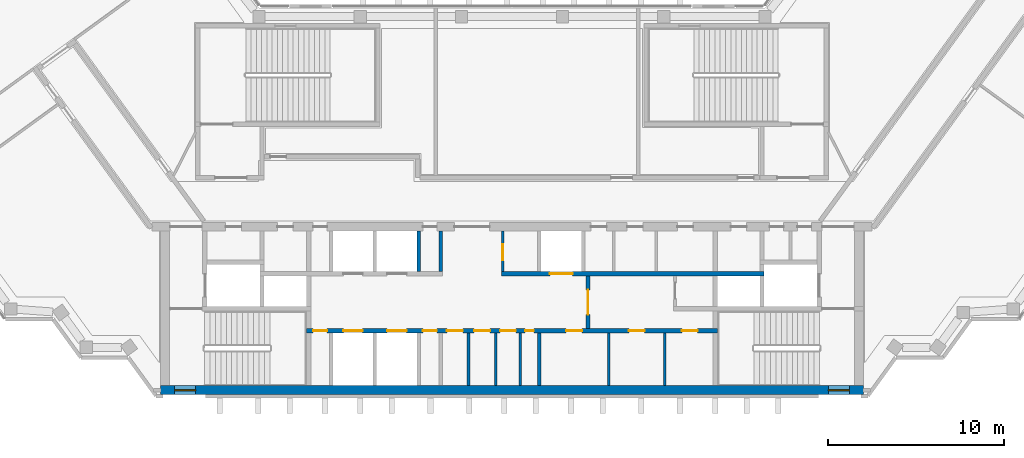
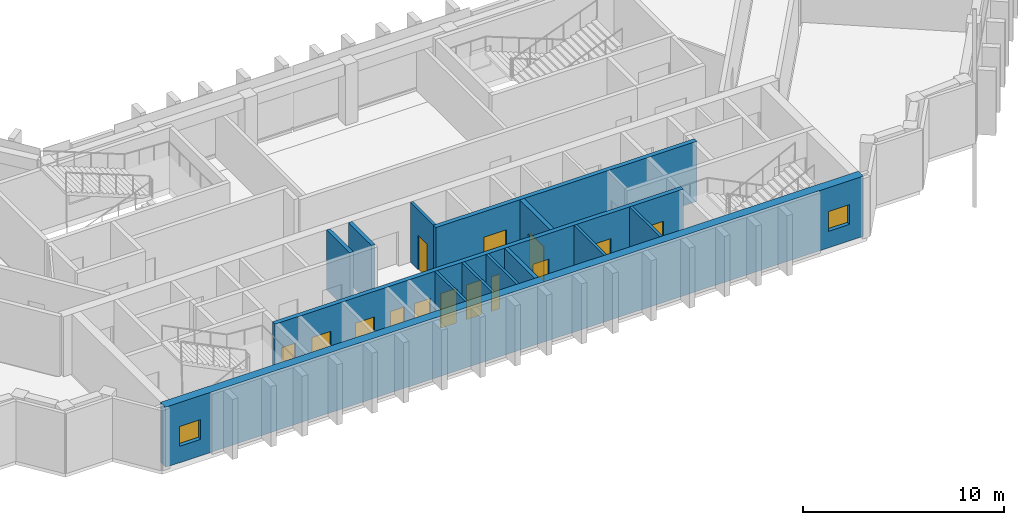
# One storey, part 5 of 10: 14 doors, 13 walls, 2 windows, 16 openings.
"""IFC4 building model written with IfcOpenShell, lengths in metres."""

import ifcopenshell
import ifcopenshell.guid

model = None  # the IFC model being written
_history = None  # IfcOwnerHistory: only IFC2X3 demands one
_inside = {}  # id of a spatial element -> (the spatial element, [elements in it])
_under = {}  # id of a project, library or spatial element -> (it, [spatial elements below it])
_declared = {}  # id of a project -> (the project, [libraries it declares])
_typed = {}  # id of a type object -> (the type object, [elements of that type])
_made_of = {}  # id of a material, layer set ... -> (it, [elements and type objects made of it])


def new_model(schema):
    """Start an empty IFC model of exactly this schema.

    Asked for "IFC4X3", IfcOpenShell would pick the latest addendum, in which some entities
    have other attributes; the version numbers below select the first issue.
    IFC2X3 requires an IfcOwnerHistory on every rooted entity: one is made here for all.
    """
    global model, _history
    if schema == "IFC4X3":
        model = ifcopenshell.file(schema_version=(4, 3, 0, 0))
    else:
        model = ifcopenshell.file(schema=schema)
    _inside.clear()
    _under.clear()
    _declared.clear()
    _typed.clear()
    _made_of.clear()
    _history = None
    if model.schema == "IFC2X3":
        org = make("IfcOrganization", Name="unknown")
        user = make(
            "IfcPersonAndOrganization",
            ThePerson=make("IfcPerson", FamilyName="unknown"),
            TheOrganization=org,
        )
        app = make(
            "IfcApplication",
            ApplicationDeveloper=org,
            Version="unknown",
            ApplicationFullName="unknown",
            ApplicationIdentifier="unknown",
        )
        _history = make(
            "IfcOwnerHistory",
            OwningUser=user,
            OwningApplication=app,
            ChangeAction="ADDED",
            CreationDate=0,
        )
    return model


def make(cls, **values):
    """One entity of the class cls with the attributes given. An attribute that is None is left unset."""
    return model.create_entity(
        cls, **{name: value for name, value in values.items() if value is not None}
    )


def rooted(cls, **values):
    """An entity with a GlobalId (a new one), such as an element, a storey or a relation."""
    return make(cls, GlobalId=ifcopenshell.guid.new(), OwnerHistory=_history, **values)


def si_unit(unit_type, name, prefix=None):
    """IfcSIUnit, for example si_unit("LENGTHUNIT", "METRE", prefix="MILLI")."""
    return make("IfcSIUnit", UnitType=unit_type, Prefix=prefix, Name=name)


def assignment(units):
    """IfcUnitAssignment: the units of a project."""
    return None if units is None else make("IfcUnitAssignment", Units=units)


def point(xyz):
    """IfcCartesianPoint."""
    return None if xyz is None else make("IfcCartesianPoint", Coordinates=xyz)


def direction(xyz):
    """IfcDirection."""
    return None if xyz is None else make("IfcDirection", DirectionRatios=xyz)


def frame(location, z_axis=None, x_axis=None):
    """IfcAxis2Placement3D, a coordinate frame: its origin and axes. An axis left out is left unset."""
    return make(
        "IfcAxis2Placement3D",
        Location=point(location),
        Axis=direction(z_axis),
        RefDirection=direction(x_axis),
    )


def frame_2d(location, x_axis=None):
    """IfcAxis2Placement2D, a coordinate frame in the plane: its origin and x axis."""
    return make(
        "IfcAxis2Placement2D", Location=point(location), RefDirection=direction(x_axis)
    )


def origin():
    """The frame at (0, 0, 0) with its axes left unset."""
    return frame((0.0, 0.0, 0.0))


def place(relative_to, where):
    """IfcLocalPlacement: puts the frame where relative to a parent placement (None: the world)."""
    return make(
        "IfcLocalPlacement", PlacementRelTo=relative_to, RelativePlacement=where
    )


def context(
    kind, dimensions, precision=None, world=None, true_north=None, identifier=None
):
    """IfcGeometricRepresentationContext, for example the 3D "Model" context."""
    return make(
        "IfcGeometricRepresentationContext",
        ContextIdentifier=identifier,
        ContextType=kind,
        CoordinateSpaceDimension=dimensions,
        Precision=precision,
        WorldCoordinateSystem=world,
        TrueNorth=true_north,
    )


def subcontext(parent, identifier, kind, view, scale=None):
    """IfcGeometricRepresentationSubContext, for example "Body" below "Model"."""
    return make(
        "IfcGeometricRepresentationSubContext",
        ContextIdentifier=identifier,
        ContextType=kind,
        ParentContext=parent,
        TargetScale=scale,
        TargetView=view,
    )


def project(units=None, contexts=None):
    """IfcProject with its units and contexts."""
    return rooted(
        "IfcProject",
        Name="project",
        RepresentationContexts=contexts,
        UnitsInContext=assignment(units),
    )


def spatial(cls, under=None, at=None, **own):
    """A site, building, storey or space (cls), placed at a placement, below another one or the project."""
    s = rooted(cls, ObjectPlacement=at, **own)
    if under is not None:
        _under.setdefault(under.id(), (under, []))[1].append(s)
    return s


def profile(cls, at=None, kind="AREA", **sizes):
    """A parametric profile (cls). Its sizes go by their IFC names, for example OverallWidth=200.0."""
    return make(cls, ProfileType=kind, Position=at, **sizes)


def rectangle(**sizes):
    """IfcRectangleProfileDef."""
    return profile("IfcRectangleProfileDef", **sizes)


def extrude(swept, where, along, depth):
    """IfcExtrudedAreaSolid: the profile swept, set in the frame where, extruded along a direction by depth."""
    return make(
        "IfcExtrudedAreaSolid",
        SweptArea=swept,
        Position=where,
        ExtrudedDirection=direction(along),
        Depth=depth,
    )


def shape(context_of_items, identifier, shape_type, items):
    """IfcShapeRepresentation: the items that make up one representation, for example the "Body"."""
    return make(
        "IfcShapeRepresentation",
        ContextOfItems=context_of_items,
        RepresentationIdentifier=identifier,
        RepresentationType=shape_type,
        Items=items,
    )


def material(Name=None, Category=None):
    """IfcMaterial."""
    return make("IfcMaterial", Name=Name, Category=Category)


def layer(
    of_material, thickness, ventilated=None, Name=None, Category=None, Priority=None
):
    """IfcMaterialLayer: one layer of a wall or slab, of a material (None: an air gap)."""
    return make(
        "IfcMaterialLayer",
        Material=of_material,
        LayerThickness=thickness,
        IsVentilated=ventilated,
        Name=Name,
        Category=Category,
        Priority=Priority,
    )


def layer_set(layers, Name=None):
    """IfcMaterialLayerSet."""
    return make("IfcMaterialLayerSet", MaterialLayers=layers, LayerSetName=Name)


def made_of(thing, what):
    """Note that an element or type object is made of a material, layer set ...; save() writes the relation."""
    if what is not None:
        _made_of.setdefault(what.id(), (what, []))[1].append(thing)
    return thing


def type_object(cls, material=None, **own):
    """A type object (cls), such as IfcWallType, which elements share."""
    return made_of(rooted(cls, **own), material)


def element(
    cls,
    number,
    at=None,
    inside=None,
    cuts=None,
    type_object=None,
    material=None,
    context=None,
    identifier="Body",
    shape_type=None,
    held_by="IfcProductDefinitionShape",
    body=None,
    shapes=None,
    **own,
):
    """One element of the class cls, such as IfcWall. Its Tag is "e" and its number.

    at: its placement. inside: the storey or other place that contains it. cuts: it is an
    opening in that element (IfcRelVoidsElement). A single representation is given by context,
    identifier, shape_type and body (its items); several are given by shapes. held_by: the class
    of the entity that holds the representations. save() writes the other relations.
    """
    e = rooted(cls, Tag="e%d" % number, ObjectPlacement=at, **own)
    if body is not None:
        shapes = [shape(context, identifier, shape_type, body)]
    if shapes is not None:
        e.Representation = make(held_by, Representations=shapes)
    if inside is not None:
        _inside.setdefault(inside.id(), (inside, []))[1].append(e)
    if cuts is not None:
        rooted(
            "IfcRelVoidsElement", RelatingBuildingElement=cuts, RelatedOpeningElement=e
        )
    if type_object is not None:
        _typed.setdefault(type_object.id(), (type_object, []))[1].append(e)
    return made_of(e, material)


def fill(opening, filler):
    """IfcRelFillsElement: the door or window that sits in an opening."""
    return rooted(
        "IfcRelFillsElement",
        RelatingOpeningElement=opening,
        RelatedBuildingElement=filler,
    )


def aggregate(whole, parts):
    """IfcRelAggregates: a whole, such as a stair, and the parts it consists of."""
    return rooted("IfcRelAggregates", RelatingObject=whole, RelatedObjects=parts)


def save(model, path):
    """Write the relations noted so far, then the file.

    IfcRelAggregates (storeys below a building ...), IfcRelContainedInSpatialStructure (elements
    in a storey), IfcRelDefinesByType, IfcRelAssociatesMaterial and IfcRelDeclares: one each for
    every whole, place, type object, material and project.
    """
    for whole, parts in _under.values():
        aggregate(whole, parts)
    for where, things in _inside.values():
        rooted(
            "IfcRelContainedInSpatialStructure",
            RelatedElements=things,
            RelatingStructure=where,
        )
    for kind, things in _typed.values():
        rooted("IfcRelDefinesByType", RelatedObjects=things, RelatingType=kind)
    for what, things in _made_of.values():
        rooted("IfcRelAssociatesMaterial", RelatedObjects=things, RelatingMaterial=what)
    for by, libraries in _declared.values():
        rooted("IfcRelDeclares", RelatingContext=by, RelatedDefinitions=libraries)
    model.write(path)


model = new_model("IFC4")

# Units and contexts
model_context = context("Model", 3, precision=1e-05, world=origin(), true_north=direction((0.0, 1.0)))
body_context = subcontext(model_context, "Body", "Model", "MODEL_VIEW")
ifc_project = project(units=[si_unit("LENGTHUNIT", "METRE"), si_unit("AREAUNIT", "SQUARE_METRE"), si_unit("VOLUMEUNIT", "CUBIC_METRE"), si_unit("PLANEANGLEUNIT", "RADIAN"), si_unit("MASSUNIT", "GRAM", prefix="KILO")], contexts=[model_context])

# Site, building, storey
site_placement = place(None, origin())
site = spatial("IfcSite", under=ifc_project, at=site_placement, CompositionType="ELEMENT")
building_placement = place(site_placement, origin())
building = spatial("IfcBuilding", under=site, at=building_placement, Name="Quipu Civic Tower", CompositionType="ELEMENT")
storey_placement = place(building_placement, frame((0.0, 0.0, 327.0)))
storey = spatial("IfcBuildingStorey", under=building, at=storey_placement, Name="L76", CompositionType="ELEMENT", Elevation=327.0)

# Wall, openings, doors
ifc_material_1 = material(Name="Concrete C70/85", Category="concrete")
ifc_layer_1 = layer(ifc_material_1, 0.25)
ifc_layer_set_1 = layer_set([ifc_layer_1], Name="Concrete C70/85")
wall_type_1 = type_object("IfcWallType", Name="Core wall 250", PredefinedType="SHEAR", material=ifc_layer_set_1)
wall_1_placement = place(storey_placement, frame((11.699951171875, -7.375, 0.0), z_axis=(0.0, 0.0, 1.0), x_axis=(-1.0, 0.0, 0.0)))
wall_1 = element("IfcWall", 1, at=wall_1_placement, inside=storey, type_object=wall_type_1, Name="Core wall", PredefinedType="SHEAR", context=body_context, shape_type="SweptSolid", body=[
    extrude(rectangle(XDim=23.39990234375, YDim=0.25, at=frame_2d((11.699951171875, 0.0))), origin(), (0.0, 0.0, 1.0), 3.64990234375),
])
opening_1_placement = place(wall_1_placement, frame((22.22509765625, 0.0, 0.0)))
opening_1 = element("IfcOpeningElement", 2, at=opening_1_placement, cuts=wall_1, Name="Opening CD-01", PredefinedType="OPENING", context=body_context, shape_type="SweptSolid", body=[
    extrude(rectangle(XDim=0.800048828125, YDim=2.10009765625, at=frame_2d((0.39990234375, 1.050048828125))), frame((0.0, 0.135009765625, 0.0), z_axis=(0.0, -1.0, 0.0), x_axis=(1.0, 0.0, 0.0)), (0.0, 0.0, 1.0), 0.27001953125),
])
opening_2_placement = place(wall_1_placement, frame((20.199951171875, 0.0, 0.0)))
opening_2 = element("IfcOpeningElement", 3, at=opening_2_placement, cuts=wall_1, Name="Opening LD-HL1", PredefinedType="OPENING", context=body_context, shape_type="SweptSolid", body=[
    extrude(rectangle(XDim=1.10009765625, YDim=2.10009765625, at=frame_2d((0.550048828125, 1.050048828125))), frame((0.0, 0.135009765625, 0.0), z_axis=(0.0, -1.0, 0.0), x_axis=(1.0, 0.0, 0.0)), (0.0, 0.0, 1.0), 0.27001953125),
])
opening_3_placement = place(wall_1_placement, frame((17.699951171875, 0.0, 0.0)))
opening_3 = element("IfcOpeningElement", 4, at=opening_3_placement, cuts=wall_1, Name="Opening LD-HL2", PredefinedType="OPENING", context=body_context, shape_type="SweptSolid", body=[
    extrude(rectangle(XDim=1.10009765625, YDim=2.10009765625, at=frame_2d((0.550048828125, 1.050048828125))), frame((0.0, 0.135009765625, 0.0), z_axis=(0.0, -1.0, 0.0), x_axis=(1.0, 0.0, 0.0)), (0.0, 0.0, 1.0), 0.27001953125),
])
opening_4_placement = place(wall_1_placement, frame((15.97509765625, 0.0, 0.0)))
opening_4 = element("IfcOpeningElement", 5, at=opening_4_placement, cuts=wall_1, Name="Opening CD-02", PredefinedType="OPENING", context=body_context, shape_type="SweptSolid", body=[
    extrude(rectangle(XDim=0.800048828125, YDim=2.10009765625, at=frame_2d((0.39990234375, 1.050048828125))), frame((0.0, 0.135009765625, 0.0), z_axis=(0.0, -1.0, 0.0), x_axis=(1.0, 0.0, 0.0)), (0.0, 0.0, 1.0), 0.27001953125),
])
opening_5_placement = place(wall_1_placement, frame((14.5, 0.0, 0.0)))
opening_5 = element("IfcOpeningElement", 6, at=opening_5_placement, cuts=wall_1, Name="Opening CD-03", PredefinedType="OPENING", context=body_context, shape_type="SweptSolid", body=[
    extrude(rectangle(XDim=0.89990234375, YDim=2.10009765625, at=frame_2d((0.449951171875, 1.050048828125))), frame((0.0, 0.135009765625, 0.0), z_axis=(0.0, -1.0, 0.0), x_axis=(1.0, 0.0, 0.0)), (0.0, 0.0, 1.0), 0.27001953125),
])
opening_6_placement = place(wall_1_placement, frame((12.949951171875, 0.0, 0.0)))
opening_6 = element("IfcOpeningElement", 7, at=opening_6_placement, cuts=wall_1, Name="Opening CD-04", PredefinedType="OPENING", context=body_context, shape_type="SweptSolid", body=[
    extrude(rectangle(XDim=0.89990234375, YDim=2.10009765625, at=frame_2d((0.449951171875, 1.050048828125))), frame((0.0, 0.135009765625, 0.0), z_axis=(0.0, -1.0, 0.0), x_axis=(1.0, 0.0, 0.0)), (0.0, 0.0, 1.0), 0.27001953125),
])
opening_7_placement = place(wall_1_placement, frame((11.47509765625, 0.0, 0.0)))
opening_7 = element("IfcOpeningElement", 8, at=opening_7_placement, cuts=wall_1, Name="Opening CD-05", PredefinedType="OPENING", context=body_context, shape_type="SweptSolid", body=[
    extrude(rectangle(XDim=0.89990234375, YDim=2.10009765625, at=frame_2d((0.449951171875, 1.050048828125))), frame((0.0, 0.135009765625, 0.0), z_axis=(0.0, -1.0, 0.0), x_axis=(1.0, 0.0, 0.0)), (0.0, 0.0, 1.0), 0.27001953125),
])
opening_8_placement = place(wall_1_placement, frame((10.449951171875, 0.0, 0.0)))
opening_8 = element("IfcOpeningElement", 9, at=opening_8_placement, cuts=wall_1, Name="Opening CD-06", PredefinedType="OPENING", context=body_context, shape_type="SweptSolid", body=[
    extrude(rectangle(XDim=0.5, YDim=2.10009765625, at=frame_2d((0.25, 1.050048828125))), frame((0.0, 0.135009765625, 0.0), z_axis=(0.0, -1.0, 0.0), x_axis=(1.0, 0.0, 0.0)), (0.0, 0.0, 1.0), 0.27001953125),
])
opening_9_placement = place(wall_1_placement, frame((7.712890625, 0.0, 0.0)))
opening_9 = element("IfcOpeningElement", 10, at=opening_9_placement, cuts=wall_1, Name="Opening CD-07", PredefinedType="OPENING", context=body_context, shape_type="SweptSolid", body=[
    extrude(rectangle(XDim=0.89990234375, YDim=2.10009765625, at=frame_2d((0.449951171875, 1.050048828125))), frame((0.0, 0.135009765625, 0.0), z_axis=(0.0, -1.0, 0.0), x_axis=(1.0, 0.0, 0.0)), (0.0, 0.0, 1.0), 0.27001953125),
])
opening_10_placement = place(wall_1_placement, frame((4.14990234375, 0.0, 0.0)))
opening_10 = element("IfcOpeningElement", 11, at=opening_10_placement, cuts=wall_1, Name="Opening CD-08", PredefinedType="OPENING", context=body_context, shape_type="SweptSolid", body=[
    extrude(rectangle(XDim=0.89990234375, YDim=2.10009765625, at=frame_2d((0.449951171875, 1.050048828125))), frame((0.0, 0.135009765625, 0.0), z_axis=(0.0, -1.0, 0.0), x_axis=(1.0, 0.0, 0.0)), (0.0, 0.0, 1.0), 0.27001953125),
])
opening_11_placement = place(wall_1_placement, frame((1.137939453125, 0.0, 0.0)))
opening_11 = element("IfcOpeningElement", 12, at=opening_11_placement, cuts=wall_1, Name="Opening CD-09", PredefinedType="OPENING", context=body_context, shape_type="SweptSolid", body=[
    extrude(rectangle(XDim=0.89990234375, YDim=2.10009765625, at=frame_2d((0.449951171875, 1.050048828125))), frame((0.0, 0.135009765625, 0.0), z_axis=(0.0, -1.0, 0.0), x_axis=(1.0, 0.0, 0.0)), (0.0, 0.0, 1.0), 0.27001953125),
])
ifc_material_2 = material(Name="Fire rated steel door", Category="steel")
door_type_1 = type_object("IfcDoorType", Name="Fire door FD60 500 x 2100", OperationType="NOTDEFINED", PredefinedType="DOOR", material=ifc_material_2)
door_1_placement = place(opening_8_placement, origin())
door_1 = element("IfcDoor", 13, at=door_1_placement, inside=storey, type_object=door_type_1, Name="Door", OperationType="SINGLE_SWING_LEFT", OverallHeight=2.10009765625, OverallWidth=0.5, PredefinedType="DOOR", context=body_context, shape_type="SweptSolid", body=[
    extrude(rectangle(XDim=0.5, YDim=2.10009765625, at=frame_2d((0.25, 1.050048828125))), frame((0.0, 0.02490234375, 0.0), z_axis=(0.0, -1.0, 0.0), x_axis=(1.0, 0.0, 0.0)), (0.0, 0.0, 1.0), 0.050048828125),
])
fill(opening_8, door_1)
ifc_material_3 = material(Name="Fire rated steel door", Category="steel")
door_type_2 = type_object("IfcDoorType", Name="Fire door FD60 800 x 2100", OperationType="NOTDEFINED", PredefinedType="DOOR", material=ifc_material_3)
door_2_placement = place(opening_1_placement, origin())
door_2 = element("IfcDoor", 14, at=door_2_placement, inside=storey, type_object=door_type_2, Name="Door", OperationType="SINGLE_SWING_RIGHT", OverallHeight=2.10009765625, OverallWidth=0.800048828125, PredefinedType="DOOR", context=body_context, shape_type="SweptSolid", body=[
    extrude(rectangle(XDim=0.800048828125, YDim=2.10009765625, at=frame_2d((0.39990234375, 1.050048828125))), frame((0.0, 0.02490234375, 0.0), z_axis=(0.0, -1.0, 0.0), x_axis=(1.0, 0.0, 0.0)), (0.0, 0.0, 1.0), 0.050048828125),
])
fill(opening_1, door_2)
door_3_placement = place(opening_4_placement, origin())
door_3 = element("IfcDoor", 15, at=door_3_placement, inside=storey, type_object=door_type_2, Name="Door", OperationType="SINGLE_SWING_RIGHT", OverallHeight=2.10009765625, OverallWidth=0.800048828125, PredefinedType="DOOR", context=body_context, shape_type="SweptSolid", body=[
    extrude(rectangle(XDim=0.800048828125, YDim=2.10009765625, at=frame_2d((0.39990234375, 1.050048828125))), frame((0.0, 0.02490234375, 0.0), z_axis=(0.0, -1.0, 0.0), x_axis=(1.0, 0.0, 0.0)), (0.0, 0.0, 1.0), 0.050048828125),
])
fill(opening_4, door_3)
ifc_material_4 = material(Name="Fire rated steel door", Category="steel")
door_type_3 = type_object("IfcDoorType", Name="Fire door FD60 900 x 2100", OperationType="NOTDEFINED", PredefinedType="DOOR", material=ifc_material_4)
door_4_placement = place(opening_5_placement, origin())
door_4 = element("IfcDoor", 16, at=door_4_placement, inside=storey, type_object=door_type_3, Name="WC door", OperationType="SINGLE_SWING_RIGHT", OverallHeight=2.10009765625, OverallWidth=0.89990234375, PredefinedType="DOOR", context=body_context, shape_type="SweptSolid", body=[
    extrude(rectangle(XDim=0.89990234375, YDim=2.10009765625, at=frame_2d((0.449951171875, 1.050048828125))), frame((0.0, 0.02490234375, 0.0), z_axis=(0.0, -1.0, 0.0), x_axis=(1.0, 0.0, 0.0)), (0.0, 0.0, 1.0), 0.050048828125),
])
fill(opening_5, door_4)
door_5_placement = place(opening_6_placement, origin())
door_5 = element("IfcDoor", 17, at=door_5_placement, inside=storey, type_object=door_type_3, Name="WC door", OperationType="SINGLE_SWING_RIGHT", OverallHeight=2.10009765625, OverallWidth=0.89990234375, PredefinedType="DOOR", context=body_context, shape_type="SweptSolid", body=[
    extrude(rectangle(XDim=0.89990234375, YDim=2.10009765625, at=frame_2d((0.449951171875, 1.050048828125))), frame((0.0, 0.02490234375, 0.0), z_axis=(0.0, -1.0, 0.0), x_axis=(1.0, 0.0, 0.0)), (0.0, 0.0, 1.0), 0.050048828125),
])
fill(opening_6, door_5)
door_6_placement = place(opening_7_placement, origin())
door_6 = element("IfcDoor", 18, at=door_6_placement, inside=storey, type_object=door_type_3, Name="WC door", OperationType="SINGLE_SWING_RIGHT", OverallHeight=2.10009765625, OverallWidth=0.89990234375, PredefinedType="DOOR", context=body_context, shape_type="SweptSolid", body=[
    extrude(rectangle(XDim=0.89990234375, YDim=2.10009765625, at=frame_2d((0.449951171875, 1.050048828125))), frame((0.0, 0.02490234375, 0.0), z_axis=(0.0, -1.0, 0.0), x_axis=(1.0, 0.0, 0.0)), (0.0, 0.0, 1.0), 0.050048828125),
])
fill(opening_7, door_6)
door_7_placement = place(opening_9_placement, origin())
door_7 = element("IfcDoor", 19, at=door_7_placement, inside=storey, type_object=door_type_3, Name="Door", OperationType="SINGLE_SWING_LEFT", OverallHeight=2.10009765625, OverallWidth=0.89990234375, PredefinedType="DOOR", context=body_context, shape_type="SweptSolid", body=[
    extrude(rectangle(XDim=0.89990234375, YDim=2.10009765625, at=frame_2d((0.449951171875, 1.050048828125))), frame((0.0, 0.02490234375, 0.0), z_axis=(0.0, -1.0, 0.0), x_axis=(1.0, 0.0, 0.0)), (0.0, 0.0, 1.0), 0.050048828125),
])
fill(opening_9, door_7)
door_8_placement = place(opening_10_placement, origin())
door_8 = element("IfcDoor", 20, at=door_8_placement, inside=storey, type_object=door_type_3, Name="Door", OperationType="SINGLE_SWING_LEFT", OverallHeight=2.10009765625, OverallWidth=0.89990234375, PredefinedType="DOOR", context=body_context, shape_type="SweptSolid", body=[
    extrude(rectangle(XDim=0.89990234375, YDim=2.10009765625, at=frame_2d((0.449951171875, 1.050048828125))), frame((0.0, 0.02490234375, 0.0), z_axis=(0.0, -1.0, 0.0), x_axis=(1.0, 0.0, 0.0)), (0.0, 0.0, 1.0), 0.050048828125),
])
fill(opening_10, door_8)
door_9_placement = place(opening_11_placement, origin())
door_9 = element("IfcDoor", 21, at=door_9_placement, inside=storey, type_object=door_type_3, Name="Door", OperationType="SINGLE_SWING_LEFT", OverallHeight=2.10009765625, OverallWidth=0.89990234375, PredefinedType="DOOR", context=body_context, shape_type="SweptSolid", body=[
    extrude(rectangle(XDim=0.89990234375, YDim=2.10009765625, at=frame_2d((0.449951171875, 1.050048828125))), frame((0.0, 0.02490234375, 0.0), z_axis=(0.0, -1.0, 0.0), x_axis=(1.0, 0.0, 0.0)), (0.0, 0.0, 1.0), 0.050048828125),
])
fill(opening_11, door_9)
ifc_material_5 = material(Name="Stainless steel", Category="steel")
door_type_4 = type_object("IfcDoorType", Name="Lift landing door 1100 x 2100", OperationType="DOUBLE_DOOR_SLIDING", PredefinedType="DOOR", material=ifc_material_5)
door_10_placement = place(opening_2_placement, origin())
door_10 = element("IfcDoor", 22, at=door_10_placement, inside=storey, type_object=door_type_4, Name="Landing door HL1", OperationType="DOUBLE_DOOR_SLIDING", OverallHeight=2.10009765625, OverallWidth=1.10009765625, PredefinedType="DOOR", context=body_context, shape_type="SweptSolid", body=[
    extrude(rectangle(XDim=1.10009765625, YDim=2.10009765625, at=frame_2d((0.550048828125, 1.050048828125))), frame((0.0, 0.02490234375, 0.0), z_axis=(0.0, -1.0, 0.0), x_axis=(1.0, 0.0, 0.0)), (0.0, 0.0, 1.0), 0.050048828125),
])
fill(opening_2, door_10)
door_11_placement = place(opening_3_placement, origin())
door_11 = element("IfcDoor", 23, at=door_11_placement, inside=storey, type_object=door_type_4, Name="Landing door HL2", OperationType="DOUBLE_DOOR_SLIDING", OverallHeight=2.10009765625, OverallWidth=1.10009765625, PredefinedType="DOOR", context=body_context, shape_type="SweptSolid", body=[
    extrude(rectangle(XDim=1.10009765625, YDim=2.10009765625, at=frame_2d((0.550048828125, 1.050048828125))), frame((0.0, 0.02490234375, 0.0), z_axis=(0.0, -1.0, 0.0), x_axis=(1.0, 0.0, 0.0)), (0.0, 0.0, 1.0), 0.050048828125),
])
fill(opening_3, door_11)

# Wall, opening, door
wall_2_placement = place(storey_placement, frame((4.324951171875, -7.25, 0.0), z_axis=(0.0, 0.0, 1.0), x_axis=(0.0, 1.0, 0.0)))
wall_2 = element("IfcWall", 24, at=wall_2_placement, inside=storey, type_object=wall_type_1, Name="Core wall", PredefinedType="SHEAR", context=body_context, shape_type="SweptSolid", body=[
    extrude(rectangle(XDim=3.0, YDim=0.25, at=frame_2d((1.5, 0.0))), origin(), (0.0, 0.0, 1.0), 3.64990234375),
])
opening_12_placement = place(wall_2_placement, frame((0.800048828125, 0.0, 0.0)))
opening_12 = element("IfcOpeningElement", 25, at=opening_12_placement, cuts=wall_2, Name="Opening CD-12", PredefinedType="OPENING", context=body_context, shape_type="SweptSolid", body=[
    extrude(rectangle(XDim=1.39990234375, YDim=2.10009765625, at=frame_2d((0.699951171875, 1.050048828125))), frame((0.0, 0.135009765625, 0.0), z_axis=(0.0, -1.0, 0.0), x_axis=(1.0, 0.0, 0.0)), (0.0, 0.0, 1.0), 0.27001953125),
])
ifc_material_6 = material(Name="Fire rated steel door", Category="steel")
door_type_5 = type_object("IfcDoorType", Name="Fire door FD60 double 1400 x 2100", OperationType="NOTDEFINED", PredefinedType="DOOR", material=ifc_material_6)
door_12_placement = place(opening_12_placement, origin())
door_12 = element("IfcDoor", 26, at=door_12_placement, inside=storey, type_object=door_type_5, Name="Hall door", OperationType="DOUBLE_DOOR_SINGLE_SWING", OverallHeight=2.10009765625, OverallWidth=1.39990234375, PredefinedType="DOOR", context=body_context, shape_type="SweptSolid", body=[
    extrude(rectangle(XDim=1.39990234375, YDim=2.10009765625, at=frame_2d((0.699951171875, 1.050048828125))), frame((0.0, 0.02490234375, 0.0), z_axis=(0.0, -1.0, 0.0), x_axis=(1.0, 0.0, 0.0)), (0.0, 0.0, 1.0), 0.050048828125),
])
fill(opening_12, door_12)

wall_3_placement = place(storey_placement, frame((-0.60009765625, -4.125, 0.0), z_axis=(0.0, 0.0, 1.0), x_axis=(1.0, 0.0, 0.0)))
wall_3 = element("IfcWall", 27, at=wall_3_placement, inside=storey, type_object=wall_type_1, Name="Core wall", PredefinedType="SHEAR", context=body_context, shape_type="SweptSolid", body=[
    extrude(rectangle(XDim=14.9501953125, YDim=0.25, at=frame_2d((7.47509765625, 0.0))), origin(), (0.0, 0.0, 1.0), 3.64990234375),
])
opening_13_placement = place(wall_3_placement, frame((2.75, 0.0, 0.0)))
opening_13 = element("IfcOpeningElement", 28, at=opening_13_placement, cuts=wall_3, Name="Opening LD-FF3", PredefinedType="OPENING", context=body_context, shape_type="SweptSolid", body=[
    extrude(rectangle(XDim=1.300048828125, YDim=2.10009765625, at=frame_2d((0.64990234375, 1.050048828125))), frame((0.0, 0.135009765625, 0.0), z_axis=(0.0, -1.0, 0.0), x_axis=(1.0, 0.0, 0.0)), (0.0, 0.0, 1.0), 0.27001953125),
])
ifc_material_7 = material(Name="Stainless steel", Category="steel")
door_type_6 = type_object("IfcDoorType", Name="Lift landing door 1300 x 2100", OperationType="DOUBLE_DOOR_SLIDING", PredefinedType="DOOR", material=ifc_material_7)
door_13_placement = place(opening_13_placement, origin())
door_13 = element("IfcDoor", 29, at=door_13_placement, inside=storey, type_object=door_type_6, Name="Landing door FF3", OperationType="DOUBLE_DOOR_SLIDING", OverallHeight=2.10009765625, OverallWidth=1.300048828125, PredefinedType="DOOR", context=body_context, shape_type="SweptSolid", body=[
    extrude(rectangle(XDim=1.300048828125, YDim=2.10009765625, at=frame_2d((0.64990234375, 1.050048828125))), frame((0.0, 0.02490234375, 0.0), z_axis=(0.0, -1.0, 0.0), x_axis=(1.0, 0.0, 0.0)), (0.0, 0.0, 1.0), 0.050048828125),
])
fill(opening_13, door_13)

# Wall, openings, windows
ifc_material_8 = material(Name="Concrete C70/85", Category="concrete")
ifc_layer_2 = layer(ifc_material_8, 0.5)
ifc_layer_set_2 = layer_set([ifc_layer_2], Name="Concrete C70/85")
wall_type_2 = type_object("IfcWallType", Name="Core wall 500", PredefinedType="SHEAR", material=ifc_layer_set_2)
wall_4_placement = place(storey_placement, frame((-20.0, -10.75, 0.0), z_axis=(0.0, 0.0, 1.0), x_axis=(1.0, 0.0, 0.0)))
wall_4 = element("IfcWall", 30, at=wall_4_placement, inside=storey, type_object=wall_type_2, Name="Core wall", PredefinedType="SHEAR", context=body_context, shape_type="SweptSolid", body=[
    extrude(rectangle(XDim=40.0, YDim=0.5, at=frame_2d((20.0, 0.0))), origin(), (0.0, 0.0, 1.0), 3.64990234375),
])
opening_14_placement = place(wall_4_placement, frame((0.800048828125, 0.0, 1.0)))
opening_14 = element("IfcOpeningElement", 31, at=opening_14_placement, cuts=wall_4, Name="Opening SV-1", PredefinedType="OPENING", context=body_context, shape_type="SweptSolid", body=[
    extrude(rectangle(XDim=1.199951171875, YDim=1.199951171875, at=frame_2d((0.60009765625, 0.60009765625))), frame((0.0, 0.260009765625, 0.0), z_axis=(0.0, -1.0, 0.0), x_axis=(1.0, 0.0, 0.0)), (0.0, 0.0, 1.0), 0.52001953125),
])
opening_15_placement = place(wall_4_placement, frame((38.0, 0.0, 1.0)))
opening_15 = element("IfcOpeningElement", 32, at=opening_15_placement, cuts=wall_4, Name="Opening SV-2", PredefinedType="OPENING", context=body_context, shape_type="SweptSolid", body=[
    extrude(rectangle(XDim=1.199951171875, YDim=1.199951171875, at=frame_2d((0.60009765625, 0.60009765625))), frame((0.0, 0.260009765625, 0.0), z_axis=(0.0, -1.0, 0.0), x_axis=(1.0, 0.0, 0.0)), (0.0, 0.0, 1.0), 0.52001953125),
])
ifc_material_9 = material(Name="Aluminium louvre", Category="aluminium")
window_type = type_object("IfcWindowType", Name="Stair ventilation louvre 1200 x 1200", PartitioningType="SINGLE_PANEL", PredefinedType="WINDOW", material=ifc_material_9)
window_1_placement = place(opening_14_placement, origin())
window_1 = element("IfcWindow", 33, at=window_1_placement, inside=storey, type_object=window_type, Name="Stair ventilation opening", OverallHeight=1.199951171875, OverallWidth=1.199951171875, PartitioningType="SINGLE_PANEL", PredefinedType="WINDOW", context=body_context, shape_type="SweptSolid", body=[
    extrude(rectangle(XDim=1.199951171875, YDim=1.199951171875, at=frame_2d((0.60009765625, 0.60009765625))), frame((0.0, 0.030029296875, 0.0), z_axis=(0.0, -1.0, 0.0), x_axis=(1.0, 0.0, 0.0)), (0.0, 0.0, 1.0), 0.06005859375),
])
fill(opening_14, window_1)
window_2_placement = place(opening_15_placement, origin())
window_2 = element("IfcWindow", 34, at=window_2_placement, inside=storey, type_object=window_type, Name="Stair ventilation opening", OverallHeight=1.199951171875, OverallWidth=1.199951171875, PartitioningType="SINGLE_PANEL", PredefinedType="WINDOW", context=body_context, shape_type="SweptSolid", body=[
    extrude(rectangle(XDim=1.199951171875, YDim=1.199951171875, at=frame_2d((0.60009765625, 0.60009765625))), frame((0.0, 0.030029296875, 0.0), z_axis=(0.0, -1.0, 0.0), x_axis=(1.0, 0.0, 0.0)), (0.0, 0.0, 1.0), 0.06005859375),
])
fill(opening_15, window_2)

# Walls
ifc_material_10 = material(Name="Gypsum board partition")
ifc_layer_3 = layer(ifc_material_10, 0.14990234375)
ifc_layer_set_3 = layer_set([ifc_layer_3], Name="Gypsum board partition")
wall_type_3 = type_object("IfcWallType", Name="Partition 150", PredefinedType="PARTITIONING", material=ifc_layer_set_3)
for number, where, z_axis, x_axis, name in (
    (35, (-2.47509765625, -10.5, 0.0), (0.0, 0.0, 1.0), (0.0, 1.0, 0.0), "Partition"),
    (36, (-0.925048828125, -10.5, 0.0), (0.0, 0.0, 1.0), (0.0, 1.0, 0.0), "Partition"),
    (37, (0.47509765625, -10.5, 0.0), (0.0, 0.0, 1.0), (0.0, 1.0, 0.0), "Partition"),
    (38, (5.5, -10.5, 0.0), (0.0, 0.0, 1.0), (0.0, 1.0, 0.0), "Partition"),
    (39, (8.699951171875, -10.5, 0.0), (0.0, 0.0, 1.0), (0.0, 1.0, 0.0), "Partition"),
):
    element("IfcWall", number, at=place(storey_placement, frame(where, z_axis=z_axis, x_axis=x_axis)), inside=storey, type_object=wall_type_3, Name=name, PredefinedType="PARTITIONING", context=body_context, shape_type="SweptSolid", body=[
        extrude(rectangle(XDim=3.0, YDim=0.14990234375, at=frame_2d((1.5, 0.0))), origin(), (0.0, 0.0, 1.0), 3.64990234375),
    ])

# Wall, opening, door
wall_5_placement = place(storey_placement, frame((-0.52490234375, -4.0, 0.0), z_axis=(0.0, 0.0, 1.0), x_axis=(0.0, 1.0, 0.0)))
wall_5 = element("IfcWall", 40, at=wall_5_placement, inside=storey, type_object=wall_type_3, Name="Partition", PredefinedType="PARTITIONING", context=body_context, shape_type="SweptSolid", body=[
    extrude(rectangle(XDim=2.300048828125, YDim=0.14990234375, at=frame_2d((1.14990234375, 0.0))), origin(), (0.0, 0.0, 1.0), 3.64990234375),
])
opening_16_placement = place(wall_5_placement, frame((0.64990234375, 0.0, 0.0)))
opening_16 = element("IfcOpeningElement", 41, at=opening_16_placement, cuts=wall_5, Name="Opening CD-14", PredefinedType="OPENING", context=body_context, shape_type="SweptSolid", body=[
    extrude(rectangle(XDim=0.89990234375, YDim=2.10009765625, at=frame_2d((0.449951171875, 1.050048828125))), frame((0.0, 0.0849609375, 0.0), z_axis=(0.0, -1.0, 0.0), x_axis=(1.0, 0.0, 0.0)), (0.0, 0.0, 1.0), 0.169921875),
])
door_14_placement = place(opening_16_placement, origin())
door_14 = element("IfcDoor", 42, at=door_14_placement, inside=storey, type_object=door_type_3, Name="WC door", OperationType="SINGLE_SWING_LEFT", OverallHeight=2.10009765625, OverallWidth=0.89990234375, PredefinedType="DOOR", context=body_context, shape_type="SweptSolid", body=[
    extrude(rectangle(XDim=0.89990234375, YDim=2.10009765625, at=frame_2d((0.449951171875, 1.050048828125))), frame((0.0, 0.02490234375, 0.0), z_axis=(0.0, -1.0, 0.0), x_axis=(1.0, 0.0, 0.0)), (0.0, 0.0, 1.0), 0.050048828125),
])
fill(opening_16, door_14)

# Walls
ifc_material_11 = material(Name="Concrete C40/50", Category="concrete")
ifc_layer_4 = layer(ifc_material_11, 0.199951171875)
ifc_layer_set_4 = layer_set([ifc_layer_4], Name="Concrete C40/50")
wall_type_4 = type_object("IfcWallType", Name="Shaft wall 200", PredefinedType="SOLIDWALL", material=ifc_layer_set_4)
wall_6_placement = place(storey_placement, frame((1.550048828125, -10.5, 0.0), z_axis=(0.0, 0.0, 1.0), x_axis=(0.0, 1.0, 0.0)))
element("IfcWall", 43, at=wall_6_placement, inside=storey, type_object=wall_type_4, Name="Shaft wall", PredefinedType="SOLIDWALL", context=body_context, shape_type="SweptSolid", body=[
    extrude(rectangle(XDim=3.0, YDim=0.199951171875, at=frame_2d((1.5, 0.0))), origin(), (0.0, 0.0, 1.0), 3.64990234375),
])
for number, where, z_axis, x_axis, name in (
    (44, (-5.300048828125, -4.0, 0.0), (0.0, 0.0, 1.0), (0.0, 1.0, 0.0), "Shaft wall"),
    (45, (-4.050048828125, -4.0, 0.0), (0.0, 0.0, 1.0), (0.0, 1.0, 0.0), "Shaft wall"),
):
    element("IfcWall", number, at=place(storey_placement, frame(where, z_axis=z_axis, x_axis=x_axis)), inside=storey, type_object=wall_type_4, Name=name, PredefinedType="SOLIDWALL", context=body_context, shape_type="SweptSolid", body=[
        extrude(rectangle(XDim=2.300048828125, YDim=0.199951171875, at=frame_2d((1.14990234375, 0.0))), origin(), (0.0, 0.0, 1.0), 3.64990234375),
    ])

save(model, "model.ifc")
